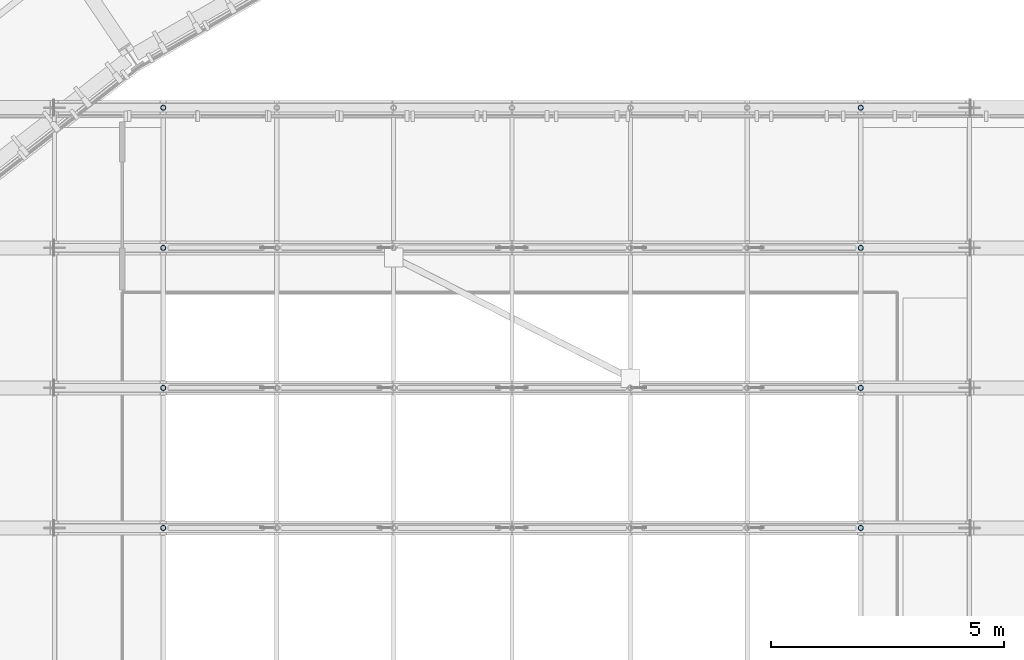
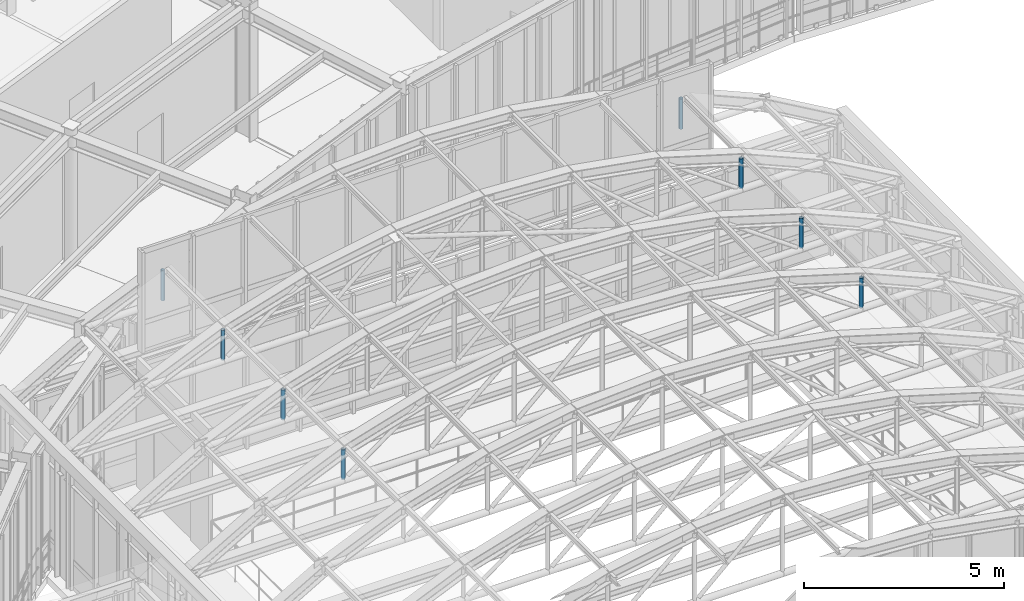
# One storey, part 92 of 148: 8 members.
"""IFC4 building model written with IfcOpenShell, lengths in metres."""

from ifc_helpers import new_model, si_unit, direction, frame, origin, origin_2d, place, context, subcontext, project, spatial, hollow_circle, extrude, material, material_profile, profile_set, type_object, element, save


model = new_model("IFC4")

# Units and contexts
model_context = context("Model", 3, precision=1e-05, world=origin(), true_north=direction((0.0, 1.0)))
body_context = subcontext(model_context, "Body", "Model", "MODEL_VIEW")
ifc_project = project(units=[si_unit("LENGTHUNIT", "METRE"), si_unit("AREAUNIT", "SQUARE_METRE"), si_unit("VOLUMEUNIT", "CUBIC_METRE"), si_unit("PLANEANGLEUNIT", "RADIAN"), si_unit("MASSUNIT", "GRAM", prefix="KILO"), si_unit("THERMODYNAMICTEMPERATUREUNIT", "KELVIN"), si_unit("POWERUNIT", "WATT")], contexts=[model_context])

# Site, building, storey
site_placement = place(None, origin())
site = spatial("IfcSite", under=ifc_project, at=site_placement, CompositionType="ELEMENT")
building_placement = place(site_placement, origin())
building = spatial("IfcBuilding", under=site, at=building_placement, Name="Solvatero Civic Police Headquarters", CompositionType="ELEMENT")
storey_placement = place(building_placement, frame((0.0, 0.0, 5.10009765625)))
storey = spatial("IfcBuildingStorey", under=building, at=storey_placement, Name="L01", CompositionType="ELEMENT", Elevation=5.10009765625)

# Members
ifc_material = material(Name="Steel S355", Category="steel")
ifc_material_profile = material_profile(ifc_material, hollow_circle(Radius=0.05712890625, WallThickness=0.008056640625, at=origin_2d()), Name="CHS 114.3x8.0")
ifc_profile_set = profile_set([ifc_material_profile], Name="Steel S355")
member_type = type_object("IfcMemberType", Name="MB-HNG-CHS114", PredefinedType="STRUT", material=ifc_profile_set)
for number, where, z_axis, x_axis, name in (
    (1, (69.330078125, 53.5, 5.17626953125), (0.0, 0.0, 1.0), (1.0, 0.0, 0.0), "VLT2 Vault Vertical Hanger F5.2"),
    (2, (84.27001953125, 53.5, 5.17626953125), (0.0, 0.0, 1.0), (1.0, 0.0, 0.0), "VLT2 Vault Vertical Hanger F5.8"),
    (3, (69.330078125, 56.5, 5.17626953125), (0.0, 0.0, 1.0), (1.0, 0.0, 0.0), "VLT2 Vault Vertical Hanger F6.2"),
    (4, (84.27001953125, 56.5, 5.17626953125), (0.0, 0.0, 1.0), (1.0, 0.0, 0.0), "VLT2 Vault Vertical Hanger F6.8"),
    (5, (69.330078125, 59.5, 5.17626953125), (0.0, 0.0, 1.0), (1.0, 0.0, 0.0), "VLT2 Vault Vertical Hanger F7.2"),
    (6, (84.27001953125, 59.5, 5.17626953125), (0.0, 0.0, 1.0), (1.0, 0.0, 0.0), "VLT2 Vault Vertical Hanger F7.8"),
    (7, (69.330078125, 62.5, 5.17626953125), (0.0, 0.0, 1.0), (1.0, 0.0, 0.0), "VLT2 Vault Vertical Hanger F8.2"),
    (8, (84.27001953125, 62.5, 5.17626953125), (0.0, 0.0, 1.0), (1.0, 0.0, 0.0), "VLT2 Vault Vertical Hanger F8.8"),
):
    element("IfcMember", number, at=place(storey_placement, frame(where, z_axis=z_axis, x_axis=x_axis)), inside=storey, type_object=member_type, Name=name, PredefinedType="STRUT", context=body_context, shape_type="SweptSolid", body=[
        extrude(hollow_circle(Radius=0.05712890625, WallThickness=0.008056640625, at=origin_2d()), origin(), (0.0, 0.0, 1.0), 0.917724609375),
    ])

save(model, "model.ifc")
